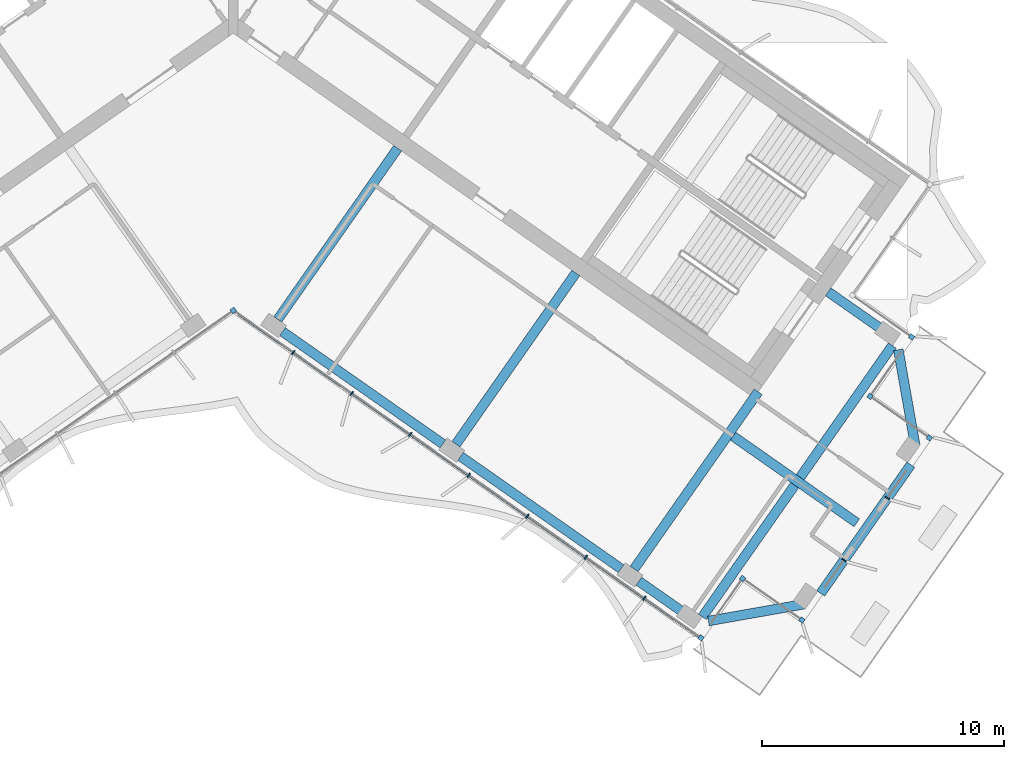
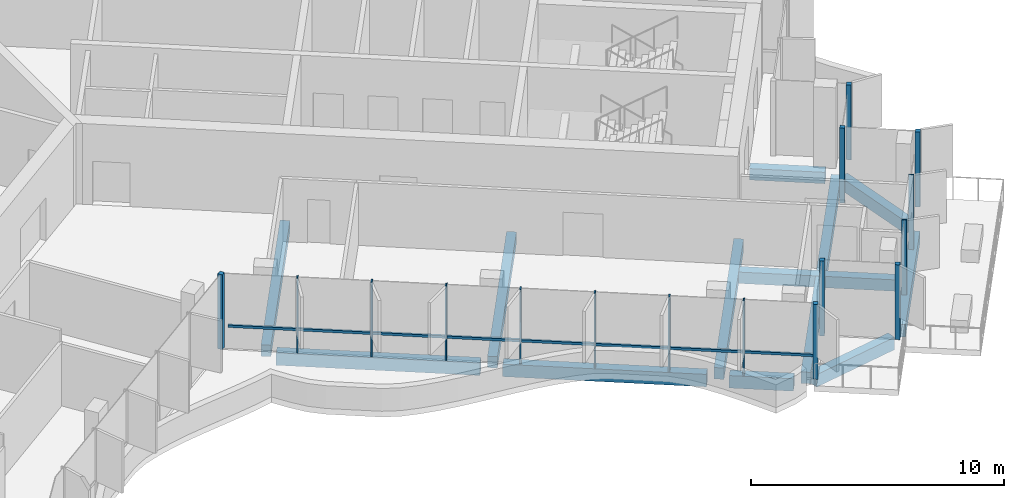
# One storey, part 4 of 18: 17 members, 12 beams, 3 elements without a shape of their own.
"""IFC4 building model written with IfcOpenShell, lengths in metres."""

from ifc_helpers import new_model, si_unit, direction, frame, origin, origin_2d, place, context, subcontext, project, spatial, rectangle, extrude, material, material_profile, profile_set, type_object, element, aggregate, save


model = new_model("IFC4")

# Units and contexts
model_context = context("Model", 3, precision=1e-05, world=origin(), true_north=direction((0.0, 1.0)))
body_context = subcontext(model_context, "Body", "Model", "MODEL_VIEW")
ifc_project = project(units=[si_unit("LENGTHUNIT", "METRE"), si_unit("AREAUNIT", "SQUARE_METRE"), si_unit("VOLUMEUNIT", "CUBIC_METRE"), si_unit("PLANEANGLEUNIT", "RADIAN"), si_unit("MASSUNIT", "GRAM", prefix="KILO")], contexts=[model_context])

# Site, building, storey
site_placement = place(None, origin())
site = spatial("IfcSite", under=ifc_project, at=site_placement, CompositionType="ELEMENT")
building_placement = place(site_placement, origin())
building = spatial("IfcBuilding", under=site, at=building_placement, Name="Tel Ilan Convention Tower", CompositionType="ELEMENT")
storey_placement = place(building_placement, frame((0.0, 0.0, 272.199951171875)))
storey = spatial("IfcBuildingStorey", under=building, at=storey_placement, Name="L64", CompositionType="ELEMENT", Elevation=272.199951171875)

# Beams
ifc_material_1 = material(Name="Concrete C40/50", Category="concrete")
ifc_material_profile_1 = material_profile(ifc_material_1, rectangle(XDim=0.39990234375, YDim=0.550048828125, at=origin_2d()), Name="RC 400x550")
ifc_profile_set_1 = profile_set([ifc_material_profile_1], Name="Concrete C40/50")
beam_type_1 = type_object("IfcBeamType", Name="Beam RC 400x550 Concrete C40/50", PredefinedType="BEAM", material=ifc_profile_set_1)
beam_1_placement = place(storey_placement, frame((27.071533203125, -13.645263671875, -0.554931640625), z_axis=(-0.81915932427, 0.57356603932, 0.0), x_axis=(-0.57356603932, -0.81915932427, 0.0)))
element("IfcBeam", 1, at=beam_1_placement, inside=storey, type_object=beam_type_1, Name="L64 beam E-E-BC-core", PredefinedType="BEAM", context=body_context, shape_type="SweptSolid", body=[
    extrude(rectangle(XDim=0.39990234375, YDim=0.550048828125, at=origin_2d()), origin(), (0.0, 0.0, 1.0), 3.002197265625),
])
for number, where, z_axis, x_axis, name in (
    (2, (1.83740234375, -13.06689453125, -0.554931640625), (0.573574099654, 0.819153680457, 0.0), (-0.819153680457, 0.573574099654, 0.0), "L64 beam E-E-F1-core"),
    (3, (9.209716796875, -18.229248046875, -0.554931640625), (0.573574099654, 0.819153680457, 0.0), (-0.819153680457, 0.573574099654, 0.0), "L64 beam E-E-F2-core"),
):
    element("IfcBeam", number, at=place(storey_placement, frame(where, z_axis=z_axis, x_axis=x_axis)), inside=storey, type_object=beam_type_1, Name=name, PredefinedType="BEAM", context=body_context, shape_type="SweptSolid", body=[
        extrude(rectangle(XDim=0.39990234375, YDim=0.550048828125, at=origin_2d()), origin(), (0.0, 0.0, 1.0), 8.64990234375),
    ])
beam_2_placement = place(storey_placement, frame((16.58203125, -23.391357421875, -0.554931640625), z_axis=(0.573584999642, 0.819146048141, 0.0), x_axis=(-0.819146048141, 0.573584999642, 0.0)))
element("IfcBeam", 4, at=beam_2_placement, inside=storey, type_object=beam_type_1, Name="L64 beam E-E-F3-core", PredefinedType="BEAM", context=body_context, shape_type="SweptSolid", body=[
    extrude(rectangle(XDim=0.39990234375, YDim=0.550048828125, at=origin_2d()), origin(), (0.0, 0.0, 1.0), 8.949951171875),
])
beam_3_placement = place(storey_placement, frame((20.6748046875, -17.89501953125, -0.554931640625), z_axis=(0.819171356584, -0.573548854548, 0.0), x_axis=(0.573548854548, 0.819171356584, 0.0)))
element("IfcBeam", 5, at=beam_3_placement, inside=storey, type_object=beam_type_1, Name="L64 beam E-core-end", PredefinedType="BEAM", context=body_context, shape_type="SweptSolid", body=[
    extrude(rectangle(XDim=0.39990234375, YDim=0.550048828125, at=origin_2d()), origin(), (0.0, 0.0, 1.0), 6.25),
])
beam_4_placement = place(storey_placement, frame((19.41015625, -25.37158203125, -0.554931640625), z_axis=(0.57357117602, 0.819155727587, 0.0), x_axis=(-0.819155727587, 0.57357117602, 0.0)))
element("IfcBeam", 6, at=beam_4_placement, inside=storey, type_object=beam_type_1, Name="L64 beam E-E-FC-E-BC", PredefinedType="BEAM", context=body_context, shape_type="SweptSolid", body=[
    extrude(rectangle(XDim=0.39990234375, YDim=0.550048828125, at=origin_2d()), origin(), (0.0, 0.0, 1.0), 13.699951171875),
])
ifc_material_2 = material(Name="Concrete C40/50", Category="concrete")
ifc_material_profile_2 = material_profile(ifc_material_2, rectangle(XDim=0.39990234375, YDim=0.60009765625, at=origin_2d()), Name="RC 400x600")
ifc_profile_set_2 = profile_set([ifc_material_profile_2], Name="Concrete C40/50")
beam_type_2 = type_object("IfcBeamType", Name="Beam RC 400x600 Concrete C40/50", PredefinedType="BEAM", material=ifc_profile_set_2)
beam_5_placement = place(storey_placement, frame((2.033935546875, -13.57080078125, -0.579833984375), z_axis=(0.81914553362, -0.573585734437, 0.0), x_axis=(0.573585734437, 0.81914553362, 0.0)))
element("IfcBeam", 7, at=beam_5_placement, inside=storey, type_object=beam_type_2, Name="L64 beam E-E-F1-E-F2", PredefinedType="BEAM", context=body_context, shape_type="SweptSolid", body=[
    extrude(rectangle(XDim=0.39990234375, YDim=0.60009765625, at=origin_2d()), origin(), (0.0, 0.0, 1.0), 8.099853515625),
])
beam_6_placement = place(storey_placement, frame((9.40625, -18.73291015625, -0.579833984375), z_axis=(0.819155449703, -0.573571572885, 0.0), x_axis=(0.573571572885, 0.819155449703, 0.0)))
element("IfcBeam", 8, at=beam_6_placement, inside=storey, type_object=beam_type_2, Name="L64 beam E-E-F2-E-F3", PredefinedType="BEAM", context=body_context, shape_type="SweptSolid", body=[
    extrude(rectangle(XDim=0.39990234375, YDim=0.60009765625, at=origin_2d()), origin(), (0.0, 0.0, 1.0), 8.10009765625),
])
beam_7_placement = place(storey_placement, frame((16.778564453125, -23.895263671875, -0.579833984375), z_axis=(0.819177991341, -0.573539378337, 0.0), x_axis=(0.573539378337, 0.819177991341, 0.0)))
element("IfcBeam", 9, at=beam_7_placement, inside=storey, type_object=beam_type_2, Name="L64 beam E-E-F3-E-FC", PredefinedType="BEAM", context=body_context, shape_type="SweptSolid", body=[
    extrude(rectangle(XDim=0.39990234375, YDim=0.60009765625, at=origin_2d()), origin(), (0.0, 0.0, 1.0), 2.55224609375),
])
beam_8_placement = place(storey_placement, frame((19.65576171875, -25.543701171875, -0.579833984375), z_axis=(0.984804894423, 0.173664388751, 0.0), x_axis=(-0.173664388751, 0.984804894423, 0.0)))
element("IfcBeam", 10, at=beam_8_placement, inside=storey, type_object=beam_type_2, Name="L64 beam E-E-FC-E-E1", PredefinedType="BEAM", context=body_context, shape_type="SweptSolid", body=[
    extrude(rectangle(XDim=0.39990234375, YDim=0.60009765625, at=origin_2d()), origin(), (0.0, 0.0, 1.0), 4.030517578125),
])
beam_9_placement = place(storey_placement, frame((24.301025390625, -24.4013671875, -0.579833984375), z_axis=(0.573580816643, 0.819148977158, 0.0), x_axis=(-0.819148977158, 0.573580816643, 0.0)))
element("IfcBeam", 11, at=beam_9_placement, inside=storey, type_object=beam_type_2, Name="L64 beam E-E-E1-E-E2", PredefinedType="BEAM", context=body_context, shape_type="SweptSolid", body=[
    extrude(rectangle(XDim=0.39990234375, YDim=0.60009765625, at=origin_2d()), origin(), (0.0, 0.0, 1.0), 6.5),
])
beam_10_placement = place(storey_placement, frame((28.213623046875, -18.29052734375, -0.579833984375), z_axis=(-0.173605641124, 0.984815252405, 0.0), x_axis=(-0.984815252405, -0.173605641124, 0.0)))
element("IfcBeam", 12, at=beam_10_placement, inside=storey, type_object=beam_type_2, Name="L64 beam E-E-E2-E-BC", PredefinedType="BEAM", context=body_context, shape_type="SweptSolid", body=[
    extrude(rectangle(XDim=0.39990234375, YDim=0.60009765625, at=origin_2d()), origin(), (0.0, 0.0, 1.0), 4.030517578125),
])

# Curtain wall, members
ifc_material_3 = material(Name="Aluminium, bronze anodised", Category="aluminium")
curtain_wall_type = type_object("IfcCurtainWallType", Name="CW5 STICK CURTAIN WALL, UPPER OFFICE LOW-IRON TINTED GLASS", PredefinedType="NOTDEFINED", material=ifc_material_3)
curtain_wall_1_placement = place(storey_placement, origin())
curtain_wall_1 = element("IfcCurtainWall", 13, at=curtain_wall_1_placement, inside=storey, type_object=curtain_wall_type, Name="Curtain wall CW5-49.02", PredefinedType="NOTDEFINED")
ifc_material_4 = material(Name="Aluminium, bronze anodised", Category="aluminium")
ifc_material_profile_3 = material_profile(ifc_material_4, rectangle(XDim=0.199951171875, YDim=0.199951171875, at=origin_2d()), Name="CW CORNER MULLION 200x200")
ifc_profile_set_3 = profile_set([ifc_material_profile_3], Name="Aluminium, bronze anodised")
member_type_1 = type_object("IfcMemberType", Name="CW CORNER MULLION 200x200", PredefinedType="MULLION", material=ifc_profile_set_3)
member_1_placement = place(storey_placement, frame((28.8017578125, -17.9697265625, 0.0), z_axis=(0.0, 0.0, 1.0), x_axis=(0.573576436351, 0.819152044289, 0.0)))
member_1 = element("IfcMember", 14, at=member_1_placement, type_object=member_type_1, Name="Corner mullion", PredefinedType="MULLION", context=body_context, shape_type="SweptSolid", body=[
    extrude(rectangle(XDim=0.199951171875, YDim=0.199951171875, at=origin_2d()), origin(), (0.0, 0.0, 1.0), 3.6201171875),
])
member_2_placement = place(storey_placement, frame((26.34423828125, -16.2490234375, 0.0), z_axis=(0.0, 0.0, 1.0), x_axis=(-0.819152044289, 0.573576436351, 0.0)))
member_2 = element("IfcMember", 15, at=member_2_placement, type_object=member_type_1, Name="Corner mullion", PredefinedType="MULLION", context=body_context, shape_type="SweptSolid", body=[
    extrude(rectangle(XDim=0.199951171875, YDim=0.199951171875, at=origin_2d()), origin(), (0.0, 0.0, 1.0), 3.6201171875),
])
member_3_placement = place(storey_placement, frame((28.06494140625, -13.79150390625, 0.0), z_axis=(0.0, 0.0, 1.0), x_axis=(0.573576436351, 0.819152044289, 0.0)))
member_3 = element("IfcMember", 16, at=member_3_placement, type_object=member_type_1, Name="Corner mullion", PredefinedType="MULLION", context=body_context, shape_type="SweptSolid", body=[
    extrude(rectangle(XDim=0.199951171875, YDim=0.199951171875, at=origin_2d()), origin(), (0.0, 0.0, 1.0), 3.6201171875),
])
aggregate(curtain_wall_1, [member_1, member_2, member_3])

curtain_wall_2_placement = place(storey_placement, origin())
curtain_wall_2 = element("IfcCurtainWall", 17, at=curtain_wall_2_placement, inside=storey, type_object=curtain_wall_type, Name="Curtain wall CW5-49.04", PredefinedType="NOTDEFINED")
member_4_placement = place(storey_placement, frame((0.0, -12.696044921875, 0.0), z_axis=(0.0, 0.0, 1.0), x_axis=(0.819152044289, 0.573576436351, 0.0)))
member_4 = element("IfcMember", 18, at=member_4_placement, type_object=member_type_1, Name="Corner mullion", PredefinedType="MULLION", context=body_context, shape_type="SweptSolid", body=[
    extrude(rectangle(XDim=0.199951171875, YDim=0.199951171875, at=origin_2d()), origin(), (0.0, 0.0, 1.0), 3.6201171875),
])
member_5_placement = place(storey_placement, frame((19.3466796875, -26.24267578125, 0.0), z_axis=(0.0, 0.0, 1.0), x_axis=(0.819152044289, -0.573576436351, 0.0)))
member_5 = element("IfcMember", 19, at=member_5_placement, type_object=member_type_1, Name="Corner mullion", PredefinedType="MULLION", context=body_context, shape_type="SweptSolid", body=[
    extrude(rectangle(XDim=0.199951171875, YDim=0.199951171875, at=origin_2d()), origin(), (0.0, 0.0, 1.0), 3.6201171875),
])
member_6_placement = place(storey_placement, frame((21.0673828125, -23.78515625, 0.0), z_axis=(0.0, 0.0, 1.0), x_axis=(0.573576436351, 0.819152044289, 0.0)))
member_6 = element("IfcMember", 20, at=member_6_placement, type_object=member_type_1, Name="Corner mullion", PredefinedType="MULLION", context=body_context, shape_type="SweptSolid", body=[
    extrude(rectangle(XDim=0.199951171875, YDim=0.199951171875, at=origin_2d()), origin(), (0.0, 0.0, 1.0), 3.6201171875),
])
member_7_placement = place(storey_placement, frame((23.52490234375, -25.505859375, 0.0), z_axis=(0.0, 0.0, 1.0), x_axis=(0.819152044289, -0.573576436351, 0.0)))
member_7 = element("IfcMember", 21, at=member_7_placement, type_object=member_type_1, Name="Corner mullion", PredefinedType="MULLION", context=body_context, shape_type="SweptSolid", body=[
    extrude(rectangle(XDim=0.199951171875, YDim=0.199951171875, at=origin_2d()), origin(), (0.0, 0.0, 1.0), 3.6201171875),
])

curtain_wall_3_placement = place(storey_placement, origin())
curtain_wall_3 = element("IfcCurtainWall", 22, at=curtain_wall_3_placement, inside=storey, type_object=curtain_wall_type, Name="Curtain wall CW5-49.01", PredefinedType="NOTDEFINED")
ifc_material_5 = material(Name="Aluminium, bronze anodised", Category="aluminium")
ifc_material_profile_4 = material_profile(ifc_material_5, rectangle(XDim=0.06005859375, YDim=0.199951171875, at=origin_2d()), Name="CW MULLION 60x200")
ifc_profile_set_4 = profile_set([ifc_material_profile_4], Name="Aluminium, bronze anodised")
member_type_2 = type_object("IfcMemberType", Name="CW MULLION 60x200", PredefinedType="MULLION", material=ifc_profile_set_4)
member_8_placement = place(storey_placement, frame((25.2646484375, -23.021240234375, 0.0), z_axis=(0.0, 0.0, 1.0), x_axis=(0.573576436351, 0.819152044289, 0.0)))
member_8 = element("IfcMember", 23, at=member_8_placement, type_object=member_type_2, Name="Mullion", PredefinedType="MULLION", context=body_context, shape_type="SweptSolid", body=[
    extrude(rectangle(XDim=0.06005859375, YDim=0.199951171875, at=origin_2d()), origin(), (0.0, 0.0, 1.0), 3.6201171875),
])
member_9_placement = place(storey_placement, frame((27.061767578125, -20.45458984375, 0.0), z_axis=(0.0, 0.0, 1.0), x_axis=(0.573576436351, 0.819152044289, 0.0)))
member_9 = element("IfcMember", 24, at=member_9_placement, type_object=member_type_2, Name="Mullion", PredefinedType="MULLION", context=body_context, shape_type="SweptSolid", body=[
    extrude(rectangle(XDim=0.06005859375, YDim=0.199951171875, at=origin_2d()), origin(), (0.0, 0.0, 1.0), 3.6201171875),
])
aggregate(curtain_wall_3, [member_8, member_9])

# Member
member_10_placement = place(storey_placement, frame((2.478759765625, -14.431640625, 0.0), z_axis=(0.0, 0.0, 1.0), x_axis=(0.819152044289, -0.573576436351, 0.0)))
member_10 = element("IfcMember", 25, at=member_10_placement, type_object=member_type_2, Name="Mullion", PredefinedType="MULLION", context=body_context, shape_type="SweptSolid", body=[
    extrude(rectangle(XDim=0.06005859375, YDim=0.199951171875, at=origin_2d()), origin(), (0.0, 0.0, 1.0), 3.6201171875),
])

member_11_placement = place(storey_placement, frame((4.900146484375, -16.127197265625, 0.0), z_axis=(0.0, 0.0, 1.0), x_axis=(0.819152044289, -0.573576436351, 0.0)))
member_11 = element("IfcMember", 26, at=member_11_placement, type_object=member_type_2, Name="Mullion", PredefinedType="MULLION", context=body_context, shape_type="SweptSolid", body=[
    extrude(rectangle(XDim=0.06005859375, YDim=0.199951171875, at=origin_2d()), origin(), (0.0, 0.0, 1.0), 3.6201171875),
])

member_12_placement = place(storey_placement, frame((7.321533203125, -17.82275390625, 0.0), z_axis=(0.0, 0.0, 1.0), x_axis=(0.819152044289, -0.573576436351, 0.0)))
member_12 = element("IfcMember", 27, at=member_12_placement, type_object=member_type_2, Name="Mullion", PredefinedType="MULLION", context=body_context, shape_type="SweptSolid", body=[
    extrude(rectangle(XDim=0.06005859375, YDim=0.199951171875, at=origin_2d()), origin(), (0.0, 0.0, 1.0), 3.6201171875),
])

member_13_placement = place(storey_placement, frame((9.742919921875, -19.51806640625, 0.0), z_axis=(0.0, 0.0, 1.0), x_axis=(0.819152044289, -0.573576436351, 0.0)))
member_13 = element("IfcMember", 28, at=member_13_placement, type_object=member_type_2, Name="Mullion", PredefinedType="MULLION", context=body_context, shape_type="SweptSolid", body=[
    extrude(rectangle(XDim=0.06005859375, YDim=0.199951171875, at=origin_2d()), origin(), (0.0, 0.0, 1.0), 3.6201171875),
])

member_14_placement = place(storey_placement, frame((12.164306640625, -21.213623046875, 0.0), z_axis=(0.0, 0.0, 1.0), x_axis=(0.819152044289, -0.573576436351, 0.0)))
member_14 = element("IfcMember", 29, at=member_14_placement, type_object=member_type_2, Name="Mullion", PredefinedType="MULLION", context=body_context, shape_type="SweptSolid", body=[
    extrude(rectangle(XDim=0.06005859375, YDim=0.199951171875, at=origin_2d()), origin(), (0.0, 0.0, 1.0), 3.6201171875),
])

member_15_placement = place(storey_placement, frame((14.585693359375, -22.9091796875, 0.0), z_axis=(0.0, 0.0, 1.0), x_axis=(0.819152044289, -0.573576436351, 0.0)))
member_15 = element("IfcMember", 30, at=member_15_placement, type_object=member_type_2, Name="Mullion", PredefinedType="MULLION", context=body_context, shape_type="SweptSolid", body=[
    extrude(rectangle(XDim=0.06005859375, YDim=0.199951171875, at=origin_2d()), origin(), (0.0, 0.0, 1.0), 3.6201171875),
])

member_16_placement = place(storey_placement, frame((17.007080078125, -24.6044921875, 0.0), z_axis=(0.0, 0.0, 1.0), x_axis=(0.819152044289, -0.573576436351, 0.0)))
member_16 = element("IfcMember", 31, at=member_16_placement, type_object=member_type_2, Name="Mullion", PredefinedType="MULLION", context=body_context, shape_type="SweptSolid", body=[
    extrude(rectangle(XDim=0.06005859375, YDim=0.199951171875, at=origin_2d()), origin(), (0.0, 0.0, 1.0), 3.6201171875),
])

ifc_material_6 = material(Name="Aluminium, bronze anodised", Category="aluminium")
ifc_material_profile_5 = material_profile(ifc_material_6, rectangle(XDim=0.10009765625, YDim=0.1201171875, at=origin_2d()), Name="CW TRANSOM 100x120")
ifc_profile_set_5 = profile_set([ifc_material_profile_5], Name="Aluminium, bronze anodised")
member_type_3 = type_object("IfcMemberType", Name="CW TRANSOM 100x120", PredefinedType="USERDEFINED", material=ifc_profile_set_5)
member_17_placement = place(storey_placement, frame((0.22119140625, -12.850830078125, 1.10009765625), z_axis=(0.81915001336, -0.573579336808, 0.0), x_axis=(0.573579336808, 0.81915001336, 0.0)))
member_17 = element("IfcMember", 32, at=member_17_placement, type_object=member_type_3, Name="Transom", ObjectType="TRANSOM", PredefinedType="USERDEFINED", context=body_context, shape_type="SweptSolid", body=[
    extrude(rectangle(XDim=0.10009765625, YDim=0.1201171875, at=origin_2d()), origin(), (0.0, 0.0, 1.0), 23.247802734375),
])

aggregate(curtain_wall_2, [member_4, member_10, member_11, member_12, member_13, member_14, member_15, member_16, member_5, member_17, member_6, member_7])

save(model, "model.ifc")
